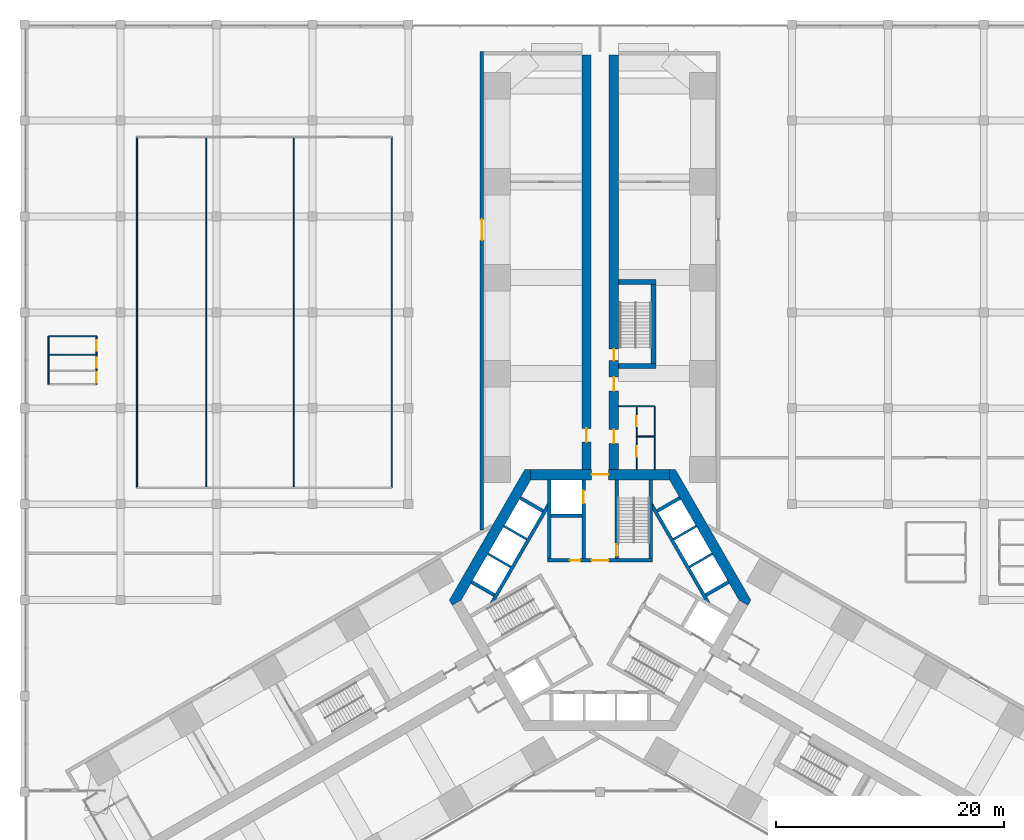
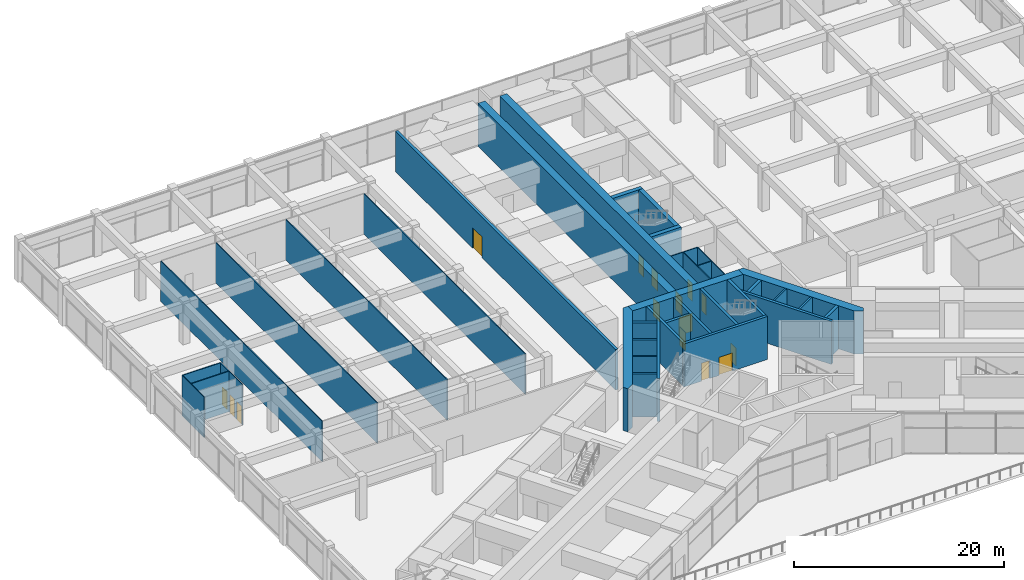
# One storey, part 29 of 34: 37 walls, 15 doors, 15 openings.
"""IFC4 building model written with IfcOpenShell, lengths in metres."""

import ifcopenshell
import ifcopenshell.guid

model = None  # the IFC model being written
_history = None  # IfcOwnerHistory: only IFC2X3 demands one
_inside = {}  # id of a spatial element -> (the spatial element, [elements in it])
_under = {}  # id of a project, library or spatial element -> (it, [spatial elements below it])
_declared = {}  # id of a project -> (the project, [libraries it declares])
_typed = {}  # id of a type object -> (the type object, [elements of that type])
_made_of = {}  # id of a material, layer set ... -> (it, [elements and type objects made of it])


def new_model(schema):
    """Start an empty IFC model of exactly this schema.

    Asked for "IFC4X3", IfcOpenShell would pick the latest addendum, in which some entities
    have other attributes; the version numbers below select the first issue.
    IFC2X3 requires an IfcOwnerHistory on every rooted entity: one is made here for all.
    """
    global model, _history
    if schema == "IFC4X3":
        model = ifcopenshell.file(schema_version=(4, 3, 0, 0))
    else:
        model = ifcopenshell.file(schema=schema)
    _inside.clear()
    _under.clear()
    _declared.clear()
    _typed.clear()
    _made_of.clear()
    _history = None
    if model.schema == "IFC2X3":
        org = make("IfcOrganization", Name="unknown")
        user = make(
            "IfcPersonAndOrganization",
            ThePerson=make("IfcPerson", FamilyName="unknown"),
            TheOrganization=org,
        )
        app = make(
            "IfcApplication",
            ApplicationDeveloper=org,
            Version="unknown",
            ApplicationFullName="unknown",
            ApplicationIdentifier="unknown",
        )
        _history = make(
            "IfcOwnerHistory",
            OwningUser=user,
            OwningApplication=app,
            ChangeAction="ADDED",
            CreationDate=0,
        )
    return model


def make(cls, **values):
    """One entity of the class cls with the attributes given. An attribute that is None is left unset."""
    return model.create_entity(
        cls, **{name: value for name, value in values.items() if value is not None}
    )


def rooted(cls, **values):
    """An entity with a GlobalId (a new one), such as an element, a storey or a relation."""
    return make(cls, GlobalId=ifcopenshell.guid.new(), OwnerHistory=_history, **values)


def si_unit(unit_type, name, prefix=None):
    """IfcSIUnit, for example si_unit("LENGTHUNIT", "METRE", prefix="MILLI")."""
    return make("IfcSIUnit", UnitType=unit_type, Prefix=prefix, Name=name)


def assignment(units):
    """IfcUnitAssignment: the units of a project."""
    return None if units is None else make("IfcUnitAssignment", Units=units)


def point(xyz):
    """IfcCartesianPoint."""
    return None if xyz is None else make("IfcCartesianPoint", Coordinates=xyz)


def direction(xyz):
    """IfcDirection."""
    return None if xyz is None else make("IfcDirection", DirectionRatios=xyz)


def frame(location, z_axis=None, x_axis=None):
    """IfcAxis2Placement3D, a coordinate frame: its origin and axes. An axis left out is left unset."""
    return make(
        "IfcAxis2Placement3D",
        Location=point(location),
        Axis=direction(z_axis),
        RefDirection=direction(x_axis),
    )


def frame_2d(location, x_axis=None):
    """IfcAxis2Placement2D, a coordinate frame in the plane: its origin and x axis."""
    return make(
        "IfcAxis2Placement2D", Location=point(location), RefDirection=direction(x_axis)
    )


def origin():
    """The frame at (0, 0, 0) with its axes left unset."""
    return frame((0.0, 0.0, 0.0))


def place(relative_to, where):
    """IfcLocalPlacement: puts the frame where relative to a parent placement (None: the world)."""
    return make(
        "IfcLocalPlacement", PlacementRelTo=relative_to, RelativePlacement=where
    )


def context(
    kind, dimensions, precision=None, world=None, true_north=None, identifier=None
):
    """IfcGeometricRepresentationContext, for example the 3D "Model" context."""
    return make(
        "IfcGeometricRepresentationContext",
        ContextIdentifier=identifier,
        ContextType=kind,
        CoordinateSpaceDimension=dimensions,
        Precision=precision,
        WorldCoordinateSystem=world,
        TrueNorth=true_north,
    )


def subcontext(parent, identifier, kind, view, scale=None):
    """IfcGeometricRepresentationSubContext, for example "Body" below "Model"."""
    return make(
        "IfcGeometricRepresentationSubContext",
        ContextIdentifier=identifier,
        ContextType=kind,
        ParentContext=parent,
        TargetScale=scale,
        TargetView=view,
    )


def project(units=None, contexts=None):
    """IfcProject with its units and contexts."""
    return rooted(
        "IfcProject",
        Name="project",
        RepresentationContexts=contexts,
        UnitsInContext=assignment(units),
    )


def spatial(cls, under=None, at=None, **own):
    """A site, building, storey or space (cls), placed at a placement, below another one or the project."""
    s = rooted(cls, ObjectPlacement=at, **own)
    if under is not None:
        _under.setdefault(under.id(), (under, []))[1].append(s)
    return s


def polyline(points):
    """IfcPolyline through the points."""
    return make("IfcPolyline", Points=[point(p) for p in points])


def profile(cls, at=None, kind="AREA", **sizes):
    """A parametric profile (cls). Its sizes go by their IFC names, for example OverallWidth=200.0."""
    return make(cls, ProfileType=kind, Position=at, **sizes)


def rectangle(**sizes):
    """IfcRectangleProfileDef."""
    return profile("IfcRectangleProfileDef", **sizes)


def outline(outer, holes=None, kind="AREA"):
    """IfcArbitraryClosedProfileDef: a profile drawn as a closed curve; with holes, ...WithVoids."""
    if holes is None:
        return make("IfcArbitraryClosedProfileDef", ProfileType=kind, OuterCurve=outer)
    return make(
        "IfcArbitraryProfileDefWithVoids",
        ProfileType=kind,
        OuterCurve=outer,
        InnerCurves=holes,
    )


def extrude(swept, where, along, depth):
    """IfcExtrudedAreaSolid: the profile swept, set in the frame where, extruded along a direction by depth."""
    return make(
        "IfcExtrudedAreaSolid",
        SweptArea=swept,
        Position=where,
        ExtrudedDirection=direction(along),
        Depth=depth,
    )


def shape(context_of_items, identifier, shape_type, items):
    """IfcShapeRepresentation: the items that make up one representation, for example the "Body"."""
    return make(
        "IfcShapeRepresentation",
        ContextOfItems=context_of_items,
        RepresentationIdentifier=identifier,
        RepresentationType=shape_type,
        Items=items,
    )


def material(Name=None, Category=None):
    """IfcMaterial."""
    return make("IfcMaterial", Name=Name, Category=Category)


def layer(
    of_material, thickness, ventilated=None, Name=None, Category=None, Priority=None
):
    """IfcMaterialLayer: one layer of a wall or slab, of a material (None: an air gap)."""
    return make(
        "IfcMaterialLayer",
        Material=of_material,
        LayerThickness=thickness,
        IsVentilated=ventilated,
        Name=Name,
        Category=Category,
        Priority=Priority,
    )


def layer_set(layers, Name=None):
    """IfcMaterialLayerSet."""
    return make("IfcMaterialLayerSet", MaterialLayers=layers, LayerSetName=Name)


def made_of(thing, what):
    """Note that an element or type object is made of a material, layer set ...; save() writes the relation."""
    if what is not None:
        _made_of.setdefault(what.id(), (what, []))[1].append(thing)
    return thing


def type_object(cls, material=None, **own):
    """A type object (cls), such as IfcWallType, which elements share."""
    return made_of(rooted(cls, **own), material)


def element(
    cls,
    number,
    at=None,
    inside=None,
    cuts=None,
    type_object=None,
    material=None,
    context=None,
    identifier="Body",
    shape_type=None,
    held_by="IfcProductDefinitionShape",
    body=None,
    shapes=None,
    **own,
):
    """One element of the class cls, such as IfcWall. Its Tag is "e" and its number.

    at: its placement. inside: the storey or other place that contains it. cuts: it is an
    opening in that element (IfcRelVoidsElement). A single representation is given by context,
    identifier, shape_type and body (its items); several are given by shapes. held_by: the class
    of the entity that holds the representations. save() writes the other relations.
    """
    e = rooted(cls, Tag="e%d" % number, ObjectPlacement=at, **own)
    if body is not None:
        shapes = [shape(context, identifier, shape_type, body)]
    if shapes is not None:
        e.Representation = make(held_by, Representations=shapes)
    if inside is not None:
        _inside.setdefault(inside.id(), (inside, []))[1].append(e)
    if cuts is not None:
        rooted(
            "IfcRelVoidsElement", RelatingBuildingElement=cuts, RelatedOpeningElement=e
        )
    if type_object is not None:
        _typed.setdefault(type_object.id(), (type_object, []))[1].append(e)
    return made_of(e, material)


def fill(opening, filler):
    """IfcRelFillsElement: the door or window that sits in an opening."""
    return rooted(
        "IfcRelFillsElement",
        RelatingOpeningElement=opening,
        RelatedBuildingElement=filler,
    )


def aggregate(whole, parts):
    """IfcRelAggregates: a whole, such as a stair, and the parts it consists of."""
    return rooted("IfcRelAggregates", RelatingObject=whole, RelatedObjects=parts)


def save(model, path):
    """Write the relations noted so far, then the file.

    IfcRelAggregates (storeys below a building ...), IfcRelContainedInSpatialStructure (elements
    in a storey), IfcRelDefinesByType, IfcRelAssociatesMaterial and IfcRelDeclares: one each for
    every whole, place, type object, material and project.
    """
    for whole, parts in _under.values():
        aggregate(whole, parts)
    for where, things in _inside.values():
        rooted(
            "IfcRelContainedInSpatialStructure",
            RelatedElements=things,
            RelatingStructure=where,
        )
    for kind, things in _typed.values():
        rooted("IfcRelDefinesByType", RelatedObjects=things, RelatingType=kind)
    for what, things in _made_of.values():
        rooted("IfcRelAssociatesMaterial", RelatedObjects=things, RelatingMaterial=what)
    for by, libraries in _declared.values():
        rooted("IfcRelDeclares", RelatingContext=by, RelatedDefinitions=libraries)
    model.write(path)


model = new_model("IFC4")

# Units and contexts
model_context = context("Model", 3, precision=1e-05, world=origin(), true_north=direction((0.0, 1.0)))
body_context = subcontext(model_context, "Body", "Model", "MODEL_VIEW")
ifc_project = project(units=[si_unit("LENGTHUNIT", "METRE"), si_unit("AREAUNIT", "SQUARE_METRE"), si_unit("VOLUMEUNIT", "CUBIC_METRE"), si_unit("PLANEANGLEUNIT", "RADIAN"), si_unit("MASSUNIT", "GRAM", prefix="KILO")], contexts=[model_context])

# Site, building, storey
site_placement = place(None, origin())
site = spatial("IfcSite", under=ifc_project, at=site_placement, CompositionType="ELEMENT")
building_placement = place(site_placement, origin())
building = spatial("IfcBuilding", under=site, at=building_placement, Name="Impinga Residences", CompositionType="ELEMENT")
storey_placement = place(building_placement, frame((0.0, 0.0, 16.0)))
storey = spatial("IfcBuildingStorey", under=building, at=storey_placement, Name="L03", CompositionType="ELEMENT", Elevation=16.0)

# Wall, opening, door
ifc_material_1 = material(Name="Concrete C70/85", Category="concrete")
ifc_layer_1 = layer(ifc_material_1, 0.800048828125)
ifc_layer_set_1 = layer_set([ifc_layer_1], Name="Concrete C70/85")
wall_type_1 = type_object("IfcWallType", Name="BW0 corridor buttress wall, B3 to L04 800", PredefinedType="SHEAR", material=ifc_layer_set_1)
wall_1_placement = place(storey_placement, frame((-1.199951171875, 10.9814453125, 0.0), z_axis=(0.0, 0.0, 1.0), x_axis=(0.0, 1.0, 0.0)))
wall_1 = element("IfcWall", 1, at=wall_1_placement, inside=storey, type_object=wall_type_1, Name="Corridor wall BW0 NC L03", PredefinedType="SHEAR", context=body_context, shape_type="SweptSolid", body=[
    extrude(rectangle(XDim=36.75, YDim=0.800048828125, at=frame_2d((18.375, 0.0))), origin(), (0.0, 0.0, 1.0), 5.0),
])
opening_1_placement = place(wall_1_placement, frame((2.85009765625, 0.0, 0.0)))
opening_1 = element("IfcOpeningElement", 2, at=opening_1_placement, cuts=wall_1, Name="Opening D3", PredefinedType="OPENING", context=body_context, shape_type="SweptSolid", body=[
    extrude(rectangle(XDim=1.199951171875, YDim=2.10009765625, at=frame_2d((0.60009765625, 1.050048828125))), frame((0.0, 0.409912109375, 0.0), z_axis=(0.0, -1.0, 0.0), x_axis=(1.0, 0.0, 0.0)), (0.0, 0.0, 1.0), 0.820068359375),
])
ifc_material_2 = material(Name="Timber door set", Category="wood")
door_type_1 = type_object("IfcDoorType", Name="D3 room door, leaf and a half 1200x2100", OperationType="DOUBLE_SWING_LEFT", PredefinedType="DOOR", material=ifc_material_2)
door_1_placement = place(opening_1_placement, origin())
door_1 = element("IfcDoor", 3, at=door_1_placement, inside=storey, type_object=door_type_1, Name="Business centre door L03-NA1", OperationType="DOUBLE_SWING_LEFT", OverallHeight=2.10009765625, OverallWidth=1.199951171875, PredefinedType="DOOR", context=body_context, shape_type="SweptSolid", body=[
    extrude(rectangle(XDim=1.199951171875, YDim=2.10009765625, at=frame_2d((0.60009765625, 1.050048828125))), frame((0.0, 0.02490234375, 0.0), z_axis=(0.0, -1.0, 0.0), x_axis=(1.0, 0.0, 0.0)), (0.0, 0.0, 1.0), 0.050048828125),
])
fill(opening_1, door_1)

# Wall, openings, doors
wall_2_placement = place(storey_placement, frame((1.199951171875, 10.9814453125, 0.0), z_axis=(0.0, 0.0, 1.0), x_axis=(0.0, 1.0, 0.0)))
wall_2 = element("IfcWall", 4, at=wall_2_placement, inside=storey, type_object=wall_type_1, Name="Corridor wall BW0 ND L03", PredefinedType="SHEAR", context=body_context, shape_type="SweptSolid", body=[
    extrude(rectangle(XDim=36.75, YDim=0.800048828125, at=frame_2d((18.375, 0.0))), origin(), (0.0, 0.0, 1.0), 5.0),
])
opening_2_placement = place(wall_2_placement, frame((10.0, 0.0, 0.0)))
opening_2 = element("IfcOpeningElement", 5, at=opening_2_placement, cuts=wall_2, Name="Opening D5", PredefinedType="OPENING", context=body_context, shape_type="SweptSolid", body=[
    extrude(rectangle(XDim=1.0, YDim=2.10009765625, at=frame_2d((0.5, 1.050048828125))), frame((0.0, 0.409912109375, 0.0), z_axis=(0.0, -1.0, 0.0), x_axis=(1.0, 0.0, 0.0)), (0.0, 0.0, 1.0), 0.820068359375),
])
opening_3_placement = place(wall_2_placement, frame((2.75, 0.0, 0.0)))
opening_3 = element("IfcOpeningElement", 6, at=opening_3_placement, cuts=wall_2, Name="Opening D3", PredefinedType="OPENING", context=body_context, shape_type="SweptSolid", body=[
    extrude(rectangle(XDim=1.199951171875, YDim=2.10009765625, at=frame_2d((0.60009765625, 1.050048828125))), frame((0.0, 0.409912109375, 0.0), z_axis=(0.0, -1.0, 0.0), x_axis=(1.0, 0.0, 0.0)), (0.0, 0.0, 1.0), 0.820068359375),
])
opening_4_placement = place(wall_2_placement, frame((7.35009765625, 0.0, 0.0)))
opening_4 = element("IfcOpeningElement", 7, at=opening_4_placement, cuts=wall_2, Name="Opening D3", PredefinedType="OPENING", context=body_context, shape_type="SweptSolid", body=[
    extrude(rectangle(XDim=1.199951171875, YDim=2.10009765625, at=frame_2d((0.60009765625, 1.050048828125))), frame((0.0, 0.409912109375, 0.0), z_axis=(0.0, -1.0, 0.0), x_axis=(1.0, 0.0, 0.0)), (0.0, 0.0, 1.0), 0.820068359375),
])
door_2_placement = place(opening_3_placement, origin())
door_2 = element("IfcDoor", 8, at=door_2_placement, inside=storey, type_object=door_type_1, Name="WC lobby door L03-NF1", OperationType="DOUBLE_SWING_LEFT", OverallHeight=2.10009765625, OverallWidth=1.199951171875, PredefinedType="DOOR", context=body_context, shape_type="SweptSolid", body=[
    extrude(rectangle(XDim=1.199951171875, YDim=2.10009765625, at=frame_2d((0.60009765625, 1.050048828125))), frame((0.0, 0.02490234375, 0.0), z_axis=(0.0, -1.0, 0.0), x_axis=(1.0, 0.0, 0.0)), (0.0, 0.0, 1.0), 0.050048828125),
])
fill(opening_3, door_2)
door_3_placement = place(opening_4_placement, origin())
door_3 = element("IfcDoor", 9, at=door_3_placement, inside=storey, type_object=door_type_1, Name="Studio door L03-NF1", OperationType="DOUBLE_SWING_LEFT", OverallHeight=2.10009765625, OverallWidth=1.199951171875, PredefinedType="DOOR", context=body_context, shape_type="SweptSolid", body=[
    extrude(rectangle(XDim=1.199951171875, YDim=2.10009765625, at=frame_2d((0.60009765625, 1.050048828125))), frame((0.0, 0.02490234375, 0.0), z_axis=(0.0, -1.0, 0.0), x_axis=(1.0, 0.0, 0.0)), (0.0, 0.0, 1.0), 0.050048828125),
])
fill(opening_4, door_3)
door_type_2 = type_object("IfcDoorType", Name="D5 stair door 1000x2100", OperationType="SINGLE_SWING_LEFT", PredefinedType="DOOR", material=ifc_material_2)
door_4_placement = place(opening_2_placement, origin())
door_4 = element("IfcDoor", 10, at=door_4_placement, inside=storey, type_object=door_type_2, Name="Wing stair door N", OperationType="SINGLE_SWING_LEFT", OverallHeight=2.10009765625, OverallWidth=1.0, PredefinedType="DOOR", context=body_context, shape_type="SweptSolid", body=[
    extrude(rectangle(XDim=1.0, YDim=2.10009765625, at=frame_2d((0.5, 1.050048828125))), frame((0.0, 0.02490234375, 0.0), z_axis=(0.0, -1.0, 0.0), x_axis=(1.0, 0.0, 0.0)), (0.0, 0.0, 1.0), 0.050048828125),
])
fill(opening_2, door_4)

ifc_material_3 = material(Name="Gypsum board on steel studs", Category="steel")
ifc_layer_2 = layer(ifc_material_3, 0.10009765625)
ifc_layer_set_2 = layer_set([ifc_layer_2], Name="Gypsum board on steel studs")
wall_type_2 = type_object("IfcWallType", Name="IP1 partition 100", PredefinedType="PARTITIONING", material=ifc_layer_set_2)
wall_3_placement = place(storey_placement, frame((3.199951171875, 11.431640625, 0.0), z_axis=(0.0, 0.0, 1.0), x_axis=(0.0, 1.0, 0.0)))
wall_3 = element("IfcWall", 11, at=wall_3_placement, inside=storey, type_object=wall_type_2, Name="Partition L03-NF1:L1", PredefinedType="PARTITIONING", context=body_context, shape_type="SweptSolid", body=[
    extrude(rectangle(XDim=5.599853515625, YDim=0.10009765625, at=frame_2d((2.7998046875, 0.0))), origin(), (0.0, 0.0, 1.0), 4.699951171875),
])
opening_5_placement = place(wall_3_placement, frame((1.125, 0.0, 0.0)))
opening_5 = element("IfcOpeningElement", 12, at=opening_5_placement, cuts=wall_3, Name="Opening D2", PredefinedType="OPENING", context=body_context, shape_type="SweptSolid", body=[
    extrude(rectangle(XDim=0.89990234375, YDim=2.10009765625, at=frame_2d((0.449951171875, 1.050048828125))), frame((0.0, 0.06005859375, 0.0), z_axis=(0.0, -1.0, 0.0), x_axis=(1.0, 0.0, 0.0)), (0.0, 0.0, 1.0), 0.1201171875),
])
opening_6_placement = place(wall_3_placement, frame((3.77490234375, 0.0, 0.0)))
opening_6 = element("IfcOpeningElement", 13, at=opening_6_placement, cuts=wall_3, Name="Opening D2", PredefinedType="OPENING", context=body_context, shape_type="SweptSolid", body=[
    extrude(rectangle(XDim=0.89990234375, YDim=2.10009765625, at=frame_2d((0.449951171875, 1.050048828125))), frame((0.0, 0.06005859375, 0.0), z_axis=(0.0, -1.0, 0.0), x_axis=(1.0, 0.0, 0.0)), (0.0, 0.0, 1.0), 0.1201171875),
])
door_type_3 = type_object("IfcDoorType", Name="D2 internal door 900x2100", OperationType="SINGLE_SWING_LEFT", PredefinedType="DOOR", material=ifc_material_2)
door_5_placement = place(opening_5_placement, origin())
door_5 = element("IfcDoor", 14, at=door_5_placement, inside=storey, type_object=door_type_3, Name="WC door L03-NF1", OperationType="SINGLE_SWING_LEFT", OverallHeight=2.10009765625, OverallWidth=0.89990234375, PredefinedType="DOOR", context=body_context, shape_type="SweptSolid", body=[
    extrude(rectangle(XDim=0.89990234375, YDim=2.10009765625, at=frame_2d((0.449951171875, 1.050048828125))), frame((0.0, 0.02490234375, 0.0), z_axis=(0.0, -1.0, 0.0), x_axis=(1.0, 0.0, 0.0)), (0.0, 0.0, 1.0), 0.050048828125),
])
fill(opening_5, door_5)
door_6_placement = place(opening_6_placement, origin())
door_6 = element("IfcDoor", 15, at=door_6_placement, inside=storey, type_object=door_type_3, Name="Accessible WC door L03-NF1", OperationType="SINGLE_SWING_RIGHT", OverallHeight=2.10009765625, OverallWidth=0.89990234375, PredefinedType="DOOR", context=body_context, shape_type="SweptSolid", body=[
    extrude(rectangle(XDim=0.89990234375, YDim=2.10009765625, at=frame_2d((0.449951171875, 1.050048828125))), frame((0.0, 0.02490234375, 0.0), z_axis=(0.0, -1.0, 0.0), x_axis=(1.0, 0.0, 0.0)), (0.0, 0.0, 1.0), 0.050048828125),
])
fill(opening_6, door_6)

# Walls
wall_4_placement = place(storey_placement, frame((3.25, 14.33154296875, 0.0), z_axis=(0.0, 0.0, 1.0), x_axis=(1.0, 0.0, 0.0)))
element("IfcWall", 16, at=wall_4_placement, inside=storey, type_object=wall_type_2, Name="Partition L03-NF1:T1", PredefinedType="PARTITIONING", context=body_context, shape_type="SweptSolid", body=[
    extrude(rectangle(XDim=1.5, YDim=0.10009765625, at=frame_2d((0.75, 0.0))), origin(), (0.0, 0.0, 1.0), 4.699951171875),
])
wall_5_placement = place(storey_placement, frame((4.800048828125, 11.431640625, 0.0), z_axis=(0.0, 0.0, 1.0), x_axis=(0.0, 1.0, 0.0)))
element("IfcWall", 17, at=wall_5_placement, inside=storey, type_object=wall_type_2, Name="Partition L03-NF1:T2", PredefinedType="PARTITIONING", context=body_context, shape_type="SweptSolid", body=[
    extrude(rectangle(XDim=5.5498046875, YDim=0.10009765625, at=frame_2d((2.77490234375, 0.0))), origin(), (0.0, 0.0, 1.0), 4.699951171875),
])
wall_6_placement = place(storey_placement, frame((1.60009765625, 16.9814453125, 0.0), z_axis=(0.0, 0.0, 1.0), x_axis=(1.0, 0.0, 0.0)))
element("IfcWall", 18, at=wall_6_placement, inside=storey, type_object=wall_type_2, Name="Partition L03-NF1:T3", PredefinedType="PARTITIONING", context=body_context, shape_type="SweptSolid", body=[
    extrude(rectangle(XDim=3.14990234375, YDim=0.10009765625, at=frame_2d((1.574951171875, 0.0))), origin(), (0.0, 0.0, 1.0), 4.699951171875),
])
for number, where, z_axis, x_axis, name in (
    (19, (-18.239990234375, 9.840087890625, 0.0), (0.0, 0.0, 1.0), (0.0, 1.0, 0.0), "Partition L03:REG:NW:BLKE"),
    (20, (-40.56005859375, 40.56005859375, 0.0), (0.0, 0.0, 1.0), (0.0, -1.0, 0.0), "Partition L03:REG:NW:BLKW"),
    (21, (-34.5, 9.840087890625, 0.0), (0.0, 0.0, 1.0), (0.0, 1.0, 0.0), "Partition L03:REG:NW:BLKP1"),
    (22, (-26.81494140625, 9.840087890625, 0.0), (0.0, 0.0, 1.0), (0.0, 1.0, 0.0), "Partition L03:REG:NW:BLKP2"),
):
    element("IfcWall", number, at=place(storey_placement, frame(where, z_axis=z_axis, x_axis=x_axis)), inside=storey, type_object=wall_type_2, Name=name, PredefinedType="PARTITIONING", context=body_context, shape_type="SweptSolid", body=[
        extrude(rectangle(XDim=30.719970703125, YDim=0.10009765625, at=frame_2d((15.35986328125, 0.0))), origin(), (0.0, 0.0, 1.0), 4.699951171875),
    ])

# Wall, openings, doors
wall_7_placement = place(storey_placement, frame((-44.10009765625, 18.89990234375, 0.0), z_axis=(0.0, 0.0, 1.0), x_axis=(0.0, 1.0, 0.0)))
wall_7 = element("IfcWall", 23, at=wall_7_placement, inside=storey, type_object=wall_type_2, Name="Partition L03:REG:NW:B4:BLKE", PredefinedType="PARTITIONING", context=body_context, shape_type="SweptSolid", body=[
    extrude(rectangle(XDim=4.2001953125, YDim=0.10009765625, at=frame_2d((2.10009765625, 0.0))), origin(), (0.0, 0.0, 1.0), 4.699951171875),
])
opening_7_placement = place(wall_7_placement, frame((0.143310546875, 0.0, 0.0)))
opening_7 = element("IfcOpeningElement", 24, at=opening_7_placement, cuts=wall_7, Name="Opening D2", PredefinedType="OPENING", context=body_context, shape_type="SweptSolid", body=[
    extrude(rectangle(XDim=0.89990234375, YDim=2.10009765625, at=frame_2d((0.449951171875, 1.050048828125))), frame((0.0, 0.06005859375, 0.0), z_axis=(0.0, -1.0, 0.0), x_axis=(1.0, 0.0, 0.0)), (0.0, 0.0, 1.0), 0.1201171875),
])
opening_8_placement = place(wall_7_placement, frame((1.4365234375, 0.0, 0.0)))
opening_8 = element("IfcOpeningElement", 25, at=opening_8_placement, cuts=wall_7, Name="Opening D2", PredefinedType="OPENING", context=body_context, shape_type="SweptSolid", body=[
    extrude(rectangle(XDim=0.89990234375, YDim=2.10009765625, at=frame_2d((0.449951171875, 1.050048828125))), frame((0.0, 0.06005859375, 0.0), z_axis=(0.0, -1.0, 0.0), x_axis=(1.0, 0.0, 0.0)), (0.0, 0.0, 1.0), 0.1201171875),
])
opening_9_placement = place(wall_7_placement, frame((2.943115234375, 0.0, 0.0)))
opening_9 = element("IfcOpeningElement", 26, at=opening_9_placement, cuts=wall_7, Name="Opening D2", PredefinedType="OPENING", context=body_context, shape_type="SweptSolid", body=[
    extrude(rectangle(XDim=0.89990234375, YDim=2.10009765625, at=frame_2d((0.449951171875, 1.050048828125))), frame((0.0, 0.06005859375, 0.0), z_axis=(0.0, -1.0, 0.0), x_axis=(1.0, 0.0, 0.0)), (0.0, 0.0, 1.0), 0.1201171875),
])
door_7_placement = place(opening_7_placement, origin())
door_7 = element("IfcDoor", 27, at=door_7_placement, inside=storey, type_object=door_type_3, Name="WC door", OperationType="SINGLE_SWING_LEFT", OverallHeight=2.10009765625, OverallWidth=0.89990234375, PredefinedType="DOOR", context=body_context, shape_type="SweptSolid", body=[
    extrude(rectangle(XDim=0.89990234375, YDim=2.10009765625, at=frame_2d((0.449951171875, 1.050048828125))), frame((0.0, 0.02490234375, 0.0), z_axis=(0.0, -1.0, 0.0), x_axis=(1.0, 0.0, 0.0)), (0.0, 0.0, 1.0), 0.050048828125),
])
fill(opening_7, door_7)
door_8_placement = place(opening_8_placement, origin())
door_8 = element("IfcDoor", 28, at=door_8_placement, inside=storey, type_object=door_type_3, Name="WC door", OperationType="SINGLE_SWING_LEFT", OverallHeight=2.10009765625, OverallWidth=0.89990234375, PredefinedType="DOOR", context=body_context, shape_type="SweptSolid", body=[
    extrude(rectangle(XDim=0.89990234375, YDim=2.10009765625, at=frame_2d((0.449951171875, 1.050048828125))), frame((0.0, 0.02490234375, 0.0), z_axis=(0.0, -1.0, 0.0), x_axis=(1.0, 0.0, 0.0)), (0.0, 0.0, 1.0), 0.050048828125),
])
fill(opening_8, door_8)
door_9_placement = place(opening_9_placement, origin())
door_9 = element("IfcDoor", 29, at=door_9_placement, inside=storey, type_object=door_type_3, Name="Accessible WC door", OperationType="SINGLE_SWING_RIGHT", OverallHeight=2.10009765625, OverallWidth=0.89990234375, PredefinedType="DOOR", context=body_context, shape_type="SweptSolid", body=[
    extrude(rectangle(XDim=0.89990234375, YDim=2.10009765625, at=frame_2d((0.449951171875, 1.050048828125))), frame((0.0, 0.02490234375, 0.0), z_axis=(0.0, -1.0, 0.0), x_axis=(1.0, 0.0, 0.0)), (0.0, 0.0, 1.0), 0.050048828125),
])
fill(opening_9, door_9)

# Walls
wall_8_placement = place(storey_placement, frame((-44.10009765625, 23.10009765625, 0.0), z_axis=(0.0, 0.0, 1.0), x_axis=(-1.0, 0.0, 0.0)))
element("IfcWall", 30, at=wall_8_placement, inside=storey, type_object=wall_type_2, Name="Partition L03:REG:NW:B4:BLKN", PredefinedType="PARTITIONING", context=body_context, shape_type="SweptSolid", body=[
    extrude(rectangle(XDim=4.199951171875, YDim=0.10009765625, at=frame_2d((2.10009765625, 0.0))), origin(), (0.0, 0.0, 1.0), 4.699951171875),
])
wall_9_placement = place(storey_placement, frame((-48.300048828125, 23.10009765625, 0.0), z_axis=(0.0, 0.0, 1.0), x_axis=(0.0, -1.0, 0.0)))
element("IfcWall", 31, at=wall_9_placement, inside=storey, type_object=wall_type_2, Name="Partition L03:REG:NW:B4:BLKW", PredefinedType="PARTITIONING", context=body_context, shape_type="SweptSolid", body=[
    extrude(rectangle(XDim=4.2001953125, YDim=0.10009765625, at=frame_2d((2.10009765625, 0.0))), origin(), (0.0, 0.0, 1.0), 4.699951171875),
])
wall_10_placement = place(storey_placement, frame((-48.300048828125, 21.486328125, 0.0), z_axis=(0.0, 0.0, 1.0), x_axis=(1.0, 0.0, 0.0)))
element("IfcWall", 32, at=wall_10_placement, inside=storey, type_object=wall_type_2, Name="Partition L03:REG:NW:B4:BLKP2", PredefinedType="PARTITIONING", context=body_context, shape_type="SweptSolid", body=[
    extrude(rectangle(XDim=4.199951171875, YDim=0.10009765625, at=frame_2d((2.10009765625, 0.0))), origin(), (0.0, 0.0, 1.0), 4.699951171875),
])

# Wall, opening, door
ifc_material_4 = material(Name="Concrete blockwork", Category="masonry")
ifc_layer_3 = layer(ifc_material_4, 0.300048828125)
ifc_layer_set_3 = layer_set([ifc_layer_3], Name="PW3 podium wall on the wing face 300")
wall_type_3 = type_object("IfcWallType", Name="PW3 podium wall on the wing face 300", PredefinedType="SOLIDWALL", material=ifc_layer_set_3)
wall_11_placement = place(storey_placement, frame((-10.35009765625, 6.148681640625, 0.0), z_axis=(0.0, 0.0, 1.0), x_axis=(0.0, 1.0, 0.0)))
wall_11 = element("IfcWall", 33, at=wall_11_placement, inside=storey, type_object=wall_type_3, Name="Podium wall on the wing face L03:SIDE:NA0", PredefinedType="SOLIDWALL", context=body_context, shape_type="SweptSolid", body=[
    extrude(rectangle(XDim=41.8828125, YDim=0.300048828125, at=frame_2d((20.94140625, 0.0))), origin(), (0.0, 0.0, 1.0), 4.699951171875),
])
opening_10_placement = place(wall_11_placement, frame((25.3828125, 0.0, 0.0)))
opening_10 = element("IfcOpeningElement", 34, at=opening_10_placement, cuts=wall_11, Name="Opening D7", PredefinedType="OPENING", context=body_context, shape_type="SweptSolid", body=[
    extrude(rectangle(XDim=1.800048828125, YDim=2.39990234375, at=frame_2d((0.89990234375, 1.199951171875))), frame((0.0, 0.159912109375, 0.0), z_axis=(0.0, -1.0, 0.0), x_axis=(1.0, 0.0, 0.0)), (0.0, 0.0, 1.0), 0.320068359375),
])
door_type_4 = type_object("IfcDoorType", Name="D7 podium door pair 1800x2400", OperationType="DOUBLE_DOOR_DOUBLE_SWING", PredefinedType="DOOR", material=ifc_material_2)
door_10_placement = place(opening_10_placement, origin())
door_10 = element("IfcDoor", 35, at=door_10_placement, inside=storey, type_object=door_type_4, Name="Double door NA", OperationType="DOUBLE_DOOR_DOUBLE_SWING", OverallHeight=2.39990234375, OverallWidth=1.800048828125, PredefinedType="DOOR", context=body_context, shape_type="SweptSolid", body=[
    extrude(rectangle(XDim=1.800048828125, YDim=2.39990234375, at=frame_2d((0.89990234375, 1.199951171875))), frame((0.0, 0.02490234375, 0.0), z_axis=(0.0, -1.0, 0.0), x_axis=(1.0, 0.0, 0.0)), (0.0, 0.0, 1.0), 0.050048828125),
])
fill(opening_10, door_10)

# Walls
ifc_material_5 = material(Name="Concrete C60/75", Category="concrete")
ifc_layer_4 = layer(ifc_material_5, 0.449951171875)
ifc_layer_set_4 = layer_set([ifc_layer_4], Name="Concrete C60/75")
wall_type_4 = type_object("IfcWallType", Name="SE2 wing stair enclosure wall, ground and podium storeys 450", PredefinedType="SOLIDWALL", material=ifc_layer_set_4)
for number, where, z_axis, x_axis, name in (
    (36, (1.60009765625, 20.506591796875, 0.0), (0.0, 0.0, 1.0), (1.0, 0.0, 0.0), "Stair enclosure wall SE2 N END0 L03"),
    (37, (1.60009765625, 27.8564453125, 0.0), (0.0, 0.0, 1.0), (1.0, 0.0, 0.0), "Stair enclosure wall SE2 N END1 L03"),
):
    element("IfcWall", number, at=place(storey_placement, frame(where, z_axis=z_axis, x_axis=x_axis)), inside=storey, type_object=wall_type_4, Name=name, PredefinedType="SOLIDWALL", context=body_context, shape_type="SweptSolid", body=[
        extrude(rectangle(XDim=3.2998046875, YDim=0.449951171875, at=frame_2d((1.64990234375, 0.0))), origin(), (0.0, 0.0, 1.0), 5.0),
    ])
wall_12_placement = place(storey_placement, frame((4.675048828125, 20.7314453125, 0.0), z_axis=(0.0, 0.0, 1.0), x_axis=(0.0, 1.0, 0.0)))
element("IfcWall", 38, at=wall_12_placement, inside=storey, type_object=wall_type_4, Name="Stair enclosure wall SE2 N OUT L03", PredefinedType="SOLIDWALL", context=body_context, shape_type="SweptSolid", body=[
    extrude(rectangle(XDim=6.900146484375, YDim=0.449951171875, at=frame_2d((3.4501953125, 0.0))), origin(), (0.0, 0.0, 1.0), 5.0),
])

# Wall, opening, door
ifc_layer_5 = layer(ifc_material_1, 0.89990234375)
ifc_layer_set_5 = layer_set([ifc_layer_5], Name="Concrete C70/85")
wall_type_5 = type_object("IfcWallType", Name="SW1 core wall 900", PredefinedType="SHEAR", material=ifc_layer_set_5)
wall_13_placement = place(storey_placement, frame((-6.080322265625, 10.9814453125, 0.0), z_axis=(0.0, 0.0, 1.0), x_axis=(1.0, 0.0, 0.0)))
wall_13 = element("IfcWall", 39, at=wall_13_placement, inside=storey, type_object=wall_type_5, Name="Core wall SW1 N:FACE L03", PredefinedType="SHEAR", context=body_context, shape_type="SweptSolid", body=[
    extrude(rectangle(XDim=12.16064453125, YDim=0.89990234375, at=frame_2d((6.080322265625, 0.0))), origin(), (0.0, 0.0, 1.0), 5.0),
])
opening_11_placement = place(wall_13_placement, frame((5.330322265625, 0.0, 0.0)))
opening_11 = element("IfcOpeningElement", 40, at=opening_11_placement, cuts=wall_13, Name="Opening D4", PredefinedType="OPENING", context=body_context, shape_type="SweptSolid", body=[
    extrude(rectangle(XDim=1.5, YDim=2.10009765625, at=frame_2d((0.75, 1.050048828125))), frame((0.0, 0.4599609375, 0.0), z_axis=(0.0, -1.0, 0.0), x_axis=(1.0, 0.0, 0.0)), (0.0, 0.0, 1.0), 0.919921875),
])
door_type_5 = type_object("IfcDoorType", Name="D4 lobby door pair 1500x2100", OperationType="DOUBLE_DOOR_DOUBLE_SWING", PredefinedType="DOOR", material=ifc_material_2)
door_11_placement = place(opening_11_placement, origin())
door_11 = element("IfcDoor", 41, at=door_11_placement, inside=storey, type_object=door_type_5, Name="Lobby door N", OperationType="DOUBLE_DOOR_DOUBLE_SWING", OverallHeight=2.10009765625, OverallWidth=1.5, PredefinedType="DOOR", context=body_context, shape_type="SweptSolid", body=[
    extrude(rectangle(XDim=1.5, YDim=2.10009765625, at=frame_2d((0.75, 1.050048828125))), frame((0.0, 0.02490234375, 0.0), z_axis=(0.0, -1.0, 0.0), x_axis=(1.0, 0.0, 0.0)), (0.0, 0.0, 1.0), 0.050048828125),
])
fill(opening_11, door_11)

# Walls
wall_14_placement = place(storey_placement, origin())
element("IfcWall", 42, at=wall_14_placement, inside=storey, type_object=wall_type_5, Name="Core wall SW1 W:EXPOSED L03", PredefinedType="SHEAR", context=body_context, shape_type="SweptSolid", body=[
    extrude(outline(polyline([(13.199951171875, 0.0), (6.60009765625, 11.431640625), (6.080322265625, 11.431640625), (6.080322265625, 10.531494140625), (12.160888671875, 0.0), (12.940185546875, -0.449951171875), (13.199951171875, 0.0)])), origin(), (0.0, 0.0, 1.0), 5.0),
])
wall_15_placement = place(storey_placement, origin())
element("IfcWall", 43, at=wall_15_placement, inside=storey, type_object=wall_type_5, Name="Core wall SW1 E:EXPOSED L03", PredefinedType="SHEAR", context=body_context, shape_type="SweptSolid", body=[
    extrude(outline(polyline([(-6.60009765625, 11.431640625), (-13.199951171875, 0.0), (-12.940185546875, -0.449951171875), (-12.160888671875, 0.0), (-6.080322265625, 10.531494140625), (-6.080322265625, 11.431640625), (-6.60009765625, 11.431640625)])), origin(), (0.0, 0.0, 1.0), 5.0),
])

# Wall, openings, doors
ifc_layer_6 = layer(ifc_material_1, 0.300048828125)
ifc_layer_set_6 = layer_set([ifc_layer_6], Name="Concrete C70/85")
wall_type_6 = type_object("IfcWallType", Name="SW5 core inner wall, stairs, shafts and lobbies 300", PredefinedType="SHEAR", material=ifc_layer_set_6)
wall_16_placement = place(storey_placement, frame((-4.60009765625, 3.47998046875, 0.0), z_axis=(0.0, 0.0, 1.0), x_axis=(1.0, 0.0, 0.0)))
wall_16 = element("IfcWall", 44, at=wall_16_placement, inside=storey, type_object=wall_type_6, Name="Core wall SW5 N:ZONE L03", PredefinedType="SHEAR", context=body_context, shape_type="SweptSolid", body=[
    extrude(rectangle(XDim=9.2001953125, YDim=0.300048828125, at=frame_2d((4.60009765625, 0.0))), origin(), (0.0, 0.0, 1.0), 5.0),
])
opening_12_placement = place(wall_16_placement, frame((3.85009765625, 0.0, 0.0)))
opening_12 = element("IfcOpeningElement", 45, at=opening_12_placement, cuts=wall_16, Name="Opening D4", PredefinedType="OPENING", context=body_context, shape_type="SweptSolid", body=[
    extrude(rectangle(XDim=1.5, YDim=2.10009765625, at=frame_2d((0.75, 1.050048828125))), frame((0.0, 0.159912109375, 0.0), z_axis=(0.0, -1.0, 0.0), x_axis=(1.0, 0.0, 0.0)), (0.0, 0.0, 1.0), 0.320068359375),
])
opening_13_placement = place(wall_16_placement, frame((1.949951171875, 0.0, 0.0)))
opening_13 = element("IfcOpeningElement", 46, at=opening_13_placement, cuts=wall_16, Name="Opening D6", PredefinedType="OPENING", context=body_context, shape_type="SweptSolid", body=[
    extrude(rectangle(XDim=0.89990234375, YDim=2.10009765625, at=frame_2d((0.449951171875, 1.050048828125))), frame((0.0, 0.159912109375, 0.0), z_axis=(0.0, -1.0, 0.0), x_axis=(1.0, 0.0, 0.0)), (0.0, 0.0, 1.0), 0.320068359375),
])
door_12_placement = place(opening_12_placement, origin())
door_12 = element("IfcDoor", 47, at=door_12_placement, inside=storey, type_object=door_type_5, Name="Firefighting lobby door N", OperationType="DOUBLE_DOOR_DOUBLE_SWING", OverallHeight=2.10009765625, OverallWidth=1.5, PredefinedType="DOOR", context=body_context, shape_type="SweptSolid", body=[
    extrude(rectangle(XDim=1.5, YDim=2.10009765625, at=frame_2d((0.75, 1.050048828125))), frame((0.0, 0.02490234375, 0.0), z_axis=(0.0, -1.0, 0.0), x_axis=(1.0, 0.0, 0.0)), (0.0, 0.0, 1.0), 0.050048828125),
])
fill(opening_12, door_12)
door_type_6 = type_object("IfcDoorType", Name="D6 riser and store door 900x2100", OperationType="SINGLE_SWING_LEFT", PredefinedType="DOOR", material=ifc_material_2)
door_13_placement = place(opening_13_placement, origin())
door_13 = element("IfcDoor", 48, at=door_13_placement, inside=storey, type_object=door_type_6, Name="Riser door N", OperationType="SINGLE_SWING_LEFT", OverallHeight=2.10009765625, OverallWidth=0.89990234375, PredefinedType="DOOR", context=body_context, shape_type="SweptSolid", body=[
    extrude(rectangle(XDim=0.89990234375, YDim=2.10009765625, at=frame_2d((0.449951171875, 1.050048828125))), frame((0.0, 0.02490234375, 0.0), z_axis=(0.0, -1.0, 0.0), x_axis=(1.0, 0.0, 0.0)), (0.0, 0.0, 1.0), 0.050048828125),
])
fill(opening_13, door_13)

# Wall, opening, door
wall_17_placement = place(storey_placement, frame((1.449951171875, 3.6298828125, 0.0), z_axis=(0.0, 0.0, 1.0), x_axis=(0.0, 1.0, 0.0)))
wall_17 = element("IfcWall", 49, at=wall_17_placement, inside=storey, type_object=wall_type_6, Name="Core wall SW5 N:ST-IN L03", PredefinedType="SHEAR", context=body_context, shape_type="SweptSolid", body=[
    extrude(rectangle(XDim=6.901611328125, YDim=0.300048828125, at=frame_2d((3.45068359375, 0.0))), origin(), (0.0, 0.0, 1.0), 5.0),
])
opening_14_placement = place(wall_17_placement, frame((0.25, 0.0, 0.0)))
opening_14 = element("IfcOpeningElement", 50, at=opening_14_placement, cuts=wall_17, Name="Opening D5", PredefinedType="OPENING", context=body_context, shape_type="SweptSolid", body=[
    extrude(rectangle(XDim=1.0, YDim=2.10009765625, at=frame_2d((0.5, 1.050048828125))), frame((0.0, 0.159912109375, 0.0), z_axis=(0.0, -1.0, 0.0), x_axis=(1.0, 0.0, 0.0)), (0.0, 0.0, 1.0), 0.320068359375),
])
door_14_placement = place(opening_14_placement, origin())
door_14 = element("IfcDoor", 51, at=door_14_placement, inside=storey, type_object=door_type_2, Name="Stair door N", OperationType="SINGLE_SWING_LEFT", OverallHeight=2.10009765625, OverallWidth=1.0, PredefinedType="DOOR", context=body_context, shape_type="SweptSolid", body=[
    extrude(rectangle(XDim=1.0, YDim=2.10009765625, at=frame_2d((0.5, 1.050048828125))), frame((0.0, 0.02490234375, 0.0), z_axis=(0.0, -1.0, 0.0), x_axis=(1.0, 0.0, 0.0)), (0.0, 0.0, 1.0), 0.050048828125),
])
fill(opening_14, door_14)

# Wall
wall_18_placement = place(storey_placement, frame((4.449951171875, 3.6298828125, 0.0), z_axis=(0.0, 0.0, 1.0), x_axis=(0.0, 1.0, 0.0)))
element("IfcWall", 52, at=wall_18_placement, inside=storey, type_object=wall_type_6, Name="Core wall SW5 N:ST-OUT L03", PredefinedType="SHEAR", context=body_context, shape_type="SweptSolid", body=[
    extrude(rectangle(XDim=6.901611328125, YDim=0.300048828125, at=frame_2d((3.45068359375, 0.0))), origin(), (0.0, 0.0, 1.0), 5.0),
])

# Wall, opening, door
wall_19_placement = place(storey_placement, frame((-1.449951171875, 3.6298828125, 0.0), z_axis=(0.0, 0.0, 1.0), x_axis=(0.0, 1.0, 0.0)))
wall_19 = element("IfcWall", 53, at=wall_19_placement, inside=storey, type_object=wall_type_6, Name="Core wall SW5 N:FF-IN L03", PredefinedType="SHEAR", context=body_context, shape_type="SweptSolid", body=[
    extrude(rectangle(XDim=6.901611328125, YDim=0.300048828125, at=frame_2d((3.45068359375, 0.0))), origin(), (0.0, 0.0, 1.0), 5.0),
])
opening_15_placement = place(wall_19_placement, frame((4.85009765625, 0.0, 0.0)))
opening_15 = element("IfcOpeningElement", 54, at=opening_15_placement, cuts=wall_19, Name="Opening LD2", PredefinedType="OPENING", context=body_context, shape_type="SweptSolid", body=[
    extrude(rectangle(XDim=1.10009765625, YDim=2.10009765625, at=frame_2d((0.550048828125, 1.050048828125))), frame((0.0, 0.159912109375, 0.0), z_axis=(0.0, -1.0, 0.0), x_axis=(1.0, 0.0, 0.0)), (0.0, 0.0, 1.0), 0.320068359375),
])
ifc_material_6 = material(Name="Steel lift landing door", Category="steel")
door_type_7 = type_object("IfcDoorType", Name="LD2 firefighting lift landing door 1100x2100", OperationType="DOUBLE_DOOR_SLIDING", PredefinedType="DOOR", material=ifc_material_6)
door_15_placement = place(opening_15_placement, origin())
door_15 = element("IfcDoor", 55, at=door_15_placement, inside=storey, type_object=door_type_7, Name="Firefighting lift landing door F1", OperationType="DOUBLE_DOOR_SLIDING", OverallHeight=2.10009765625, OverallWidth=1.10009765625, PredefinedType="DOOR", context=body_context, shape_type="SweptSolid", body=[
    extrude(rectangle(XDim=1.10009765625, YDim=2.10009765625, at=frame_2d((0.550048828125, 1.050048828125))), frame((0.0, 0.02490234375, 0.0), z_axis=(0.0, -1.0, 0.0), x_axis=(1.0, 0.0, 0.0)), (0.0, 0.0, 1.0), 0.050048828125),
])
fill(opening_15, door_15)

# Walls
wall_20_placement = place(storey_placement, frame((-4.449951171875, 3.6298828125, 0.0), z_axis=(0.0, 0.0, 1.0), x_axis=(0.0, 1.0, 0.0)))
element("IfcWall", 56, at=wall_20_placement, inside=storey, type_object=wall_type_6, Name="Core wall SW5 N:FF-OUT L03", PredefinedType="SHEAR", context=body_context, shape_type="SweptSolid", body=[
    extrude(rectangle(XDim=6.901611328125, YDim=0.300048828125, at=frame_2d((3.45068359375, 0.0))), origin(), (0.0, 0.0, 1.0), 5.0),
])
wall_21_placement = place(storey_placement, frame((-4.300048828125, 7.3798828125, 0.0), z_axis=(0.0, 0.0, 1.0), x_axis=(1.0, 0.0, 0.0)))
element("IfcWall", 57, at=wall_21_placement, inside=storey, type_object=wall_type_6, Name="Core wall SW5 N:FF-RS L03", PredefinedType="SHEAR", context=body_context, shape_type="SweptSolid", body=[
    extrude(rectangle(XDim=2.699951171875, YDim=0.300048828125, at=frame_2d((1.35009765625, 0.0))), origin(), (0.0, 0.0, 1.0), 5.0),
])
wall_22_placement = place(storey_placement, frame((4.449951171875, 8.455322265625, 0.0), z_axis=(0.0, 0.0, 1.0), x_axis=(0.500002290144, -0.866024081565, 0.0)))
element("IfcWall", 58, at=wall_22_placement, inside=storey, type_object=wall_type_6, Name="Core wall SW5 W:BANK-FRONT L03", PredefinedType="SHEAR", context=body_context, shape_type="SweptSolid", body=[
    extrude(rectangle(XDim=10.1953125, YDim=0.300048828125, at=frame_2d((5.09765625, 0.0))), origin(), (0.0, 0.0, 1.0), 5.0),
])
for number, where, z_axis, x_axis, name in (
    (59, (5.003662109375, 7.79638671875, 0.0), (0.0, 0.0, 1.0), (0.866053019151, 0.499952165731, 0.0), "Core wall SW5 W:BANK-L L03"),
    (60, (9.253662109375, 0.43505859375, 0.0), (0.0, 0.0, 1.0), (0.866007057882, 0.500031774688, 0.0), "Core wall SW5 W:BANK-R L03"),
):
    element("IfcWall", number, at=place(storey_placement, frame(where, z_axis=z_axis, x_axis=x_axis)), inside=storey, type_object=wall_type_6, Name=name, PredefinedType="SHEAR", context=body_context, shape_type="SweptSolid", body=[
        extrude(rectangle(XDim=2.300048828125, YDim=0.300048828125, at=frame_2d((1.14990234375, 0.0))), origin(), (0.0, 0.0, 1.0), 5.0),
    ])
wall_23_placement = place(storey_placement, frame((-9.547607421875, -0.3740234375, 0.0), z_axis=(0.0, 0.0, 1.0), x_axis=(0.500002290144, 0.866024081565, 0.0)))
element("IfcWall", 61, at=wall_23_placement, inside=storey, type_object=wall_type_6, Name="Core wall SW5 E:BANK-FRONT L03", PredefinedType="SHEAR", context=body_context, shape_type="SweptSolid", body=[
    extrude(rectangle(XDim=10.1953125, YDim=0.300048828125, at=frame_2d((5.09765625, 0.0))), origin(), (0.0, 0.0, 1.0), 5.0),
])
for number, where, z_axis, x_axis, name in (
    (62, (-9.253662109375, 0.43505859375, 0.0), (0.0, 0.0, 1.0), (-0.866007057882, 0.500031774688, 0.0), "Core wall SW5 E:BANK-L L03"),
    (63, (-5.003662109375, 7.79638671875, 0.0), (0.0, 0.0, 1.0), (-0.866053019151, 0.499952165731, 0.0), "Core wall SW5 E:BANK-R L03"),
):
    element("IfcWall", number, at=place(storey_placement, frame(where, z_axis=z_axis, x_axis=x_axis)), inside=storey, type_object=wall_type_6, Name=name, PredefinedType="SHEAR", context=body_context, shape_type="SweptSolid", body=[
        extrude(rectangle(XDim=2.300048828125, YDim=0.300048828125, at=frame_2d((1.14990234375, 0.0))), origin(), (0.0, 0.0, 1.0), 5.0),
    ])
ifc_layer_7 = layer(ifc_material_1, 0.199951171875)
ifc_layer_set_7 = layer_set([ifc_layer_7], Name="Concrete C70/85")
wall_type_7 = type_object("IfcWallType", Name="SW6 lift shaft divider wall 200", PredefinedType="SHEAR", material=ifc_layer_set_7)
for number, where, z_axis, x_axis, name in (
    (64, (6.4287109375, 5.328125, 0.0), (0.0, 0.0, 1.0), (0.866007057882, 0.500031774688, 0.0), "Core wall SW6 W:BANK-D1 L03"),
    (65, (7.82861328125, 2.9033203125, 0.0), (0.0, 0.0, 1.0), (0.866053019151, 0.499952165731, 0.0), "Core wall SW6 W:BANK-D2 L03"),
    (66, (-7.82861328125, 2.9033203125, 0.0), (0.0, 0.0, 1.0), (-0.866053019151, 0.499952165731, 0.0), "Core wall SW6 E:BANK-D1 L03"),
    (67, (-6.4287109375, 5.328125, 0.0), (0.0, 0.0, 1.0), (-0.866007057882, 0.500031774688, 0.0), "Core wall SW6 E:BANK-D2 L03"),
):
    element("IfcWall", number, at=place(storey_placement, frame(where, z_axis=z_axis, x_axis=x_axis)), inside=storey, type_object=wall_type_7, Name=name, PredefinedType="SHEAR", context=body_context, shape_type="SweptSolid", body=[
        extrude(rectangle(XDim=2.300048828125, YDim=0.199951171875, at=frame_2d((1.14990234375, 0.0))), origin(), (0.0, 0.0, 1.0), 5.0),
    ])

save(model, "model.ifc")
